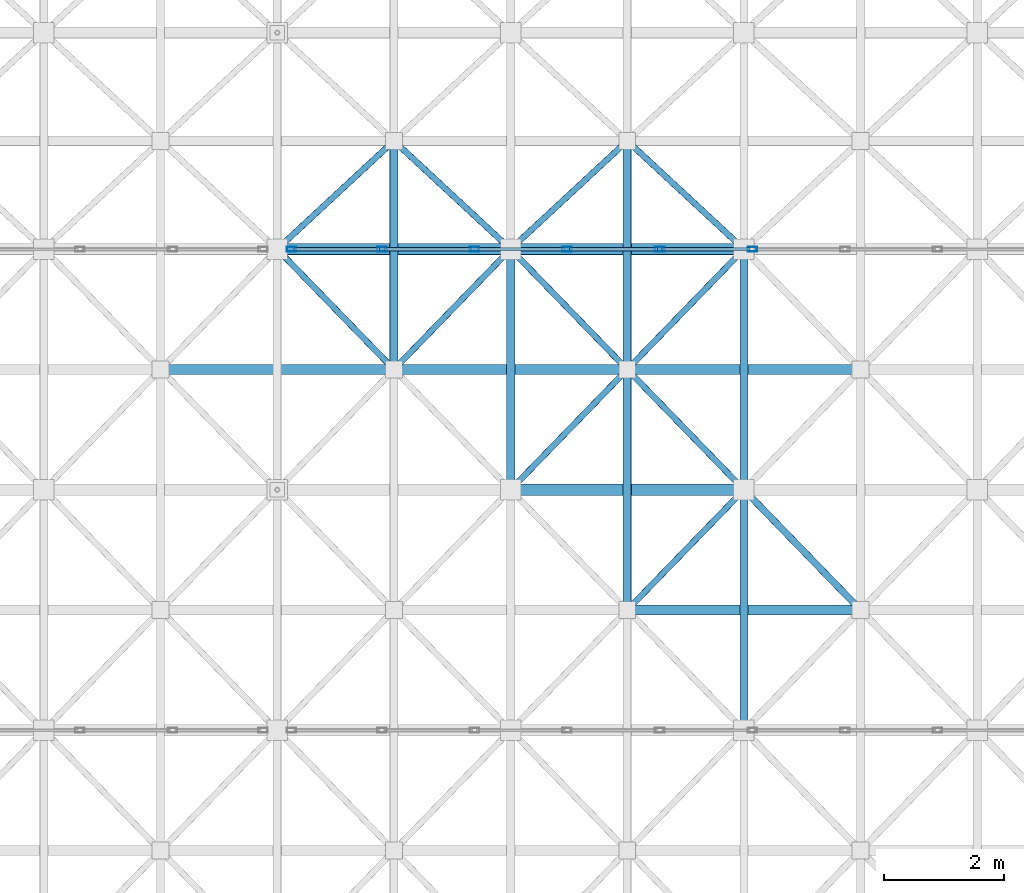
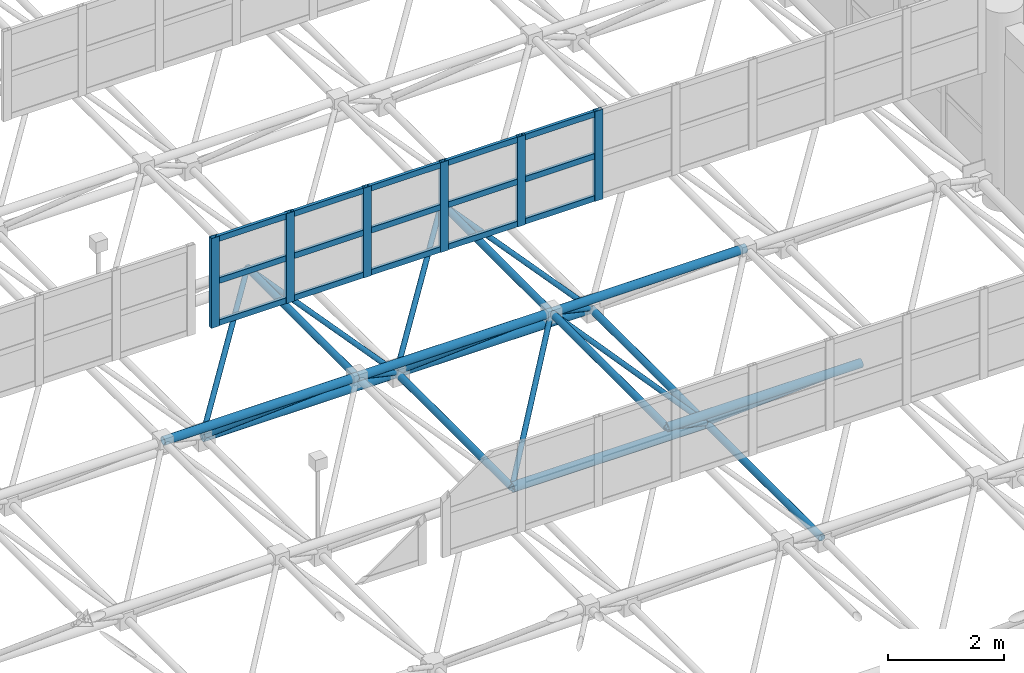
# One storey, part 90 of 195: 46 members, 1 element without a shape of its own.
"""IFC4 building model written with IfcOpenShell, lengths in metres."""

from ifc_helpers import new_model, si_unit, direction, frame, origin, origin_2d, place, context, subcontext, project, spatial, hollow_rectangle, hollow_circle, extrude, material, material_profile, profile_set, type_object, element, aggregate, save


model = new_model("IFC4")

# Units and contexts
model_context = context("Model", 3, precision=1e-05, world=origin(), true_north=direction((0.0, 1.0)))
body_context = subcontext(model_context, "Body", "Model", "MODEL_VIEW")
ifc_project = project(units=[si_unit("LENGTHUNIT", "METRE"), si_unit("AREAUNIT", "SQUARE_METRE"), si_unit("VOLUMEUNIT", "CUBIC_METRE"), si_unit("PLANEANGLEUNIT", "RADIAN"), si_unit("MASSUNIT", "GRAM", prefix="KILO")], contexts=[model_context])

# Site, building, storey
site_placement = place(None, origin())
site = spatial("IfcSite", under=ifc_project, at=site_placement, CompositionType="ELEMENT")
building_placement = place(site_placement, origin())
building = spatial("IfcBuilding", under=site, at=building_placement, Name="Kharva Crest Polytechnic", CompositionType="ELEMENT")
storey_placement = place(building_placement, frame((0.0, 0.0, 9.0)))
storey = spatial("IfcBuildingStorey", under=building, at=storey_placement, Name="L02", CompositionType="ELEMENT", Elevation=9.0)

# Curtain wall, members
ifc_material_1 = material(Name="Tempered insulated glass", Category="glass")
curtain_wall_type = type_object("IfcCurtainWallType", Name="CW-SYS-NORTHLIGHT", PredefinedType="USERDEFINED", material=ifc_material_1)
curtain_wall_placement = place(storey_placement, origin())
curtain_wall = element("IfcCurtainWall", 1, at=curtain_wall_placement, inside=storey, type_object=curtain_wall_type, Name="L02 Glazed Curtain Wall CW-198", ObjectType="CURTAIN WALL", PredefinedType="USERDEFINED")
ifc_material_2 = material(Name="Steel S355", Category="steel")
ifc_material_profile_1 = material_profile(ifc_material_2, hollow_rectangle(XDim=0.080078125, YDim=0.159912109375, WallThickness=0.0048828125, at=origin_2d()), Name="RHS 160X80X5.0")
ifc_profile_set_1 = profile_set([ifc_material_profile_1], Name="Steel S355")
member_type_1 = type_object("IfcMemberType", Name="CWM-RHS160X80", PredefinedType="MULLION", material=ifc_profile_set_1)
member_1_placement = place(storey_placement, frame((16.239990234375, 78.800048828125, 2.85009765625), z_axis=(0.0, 0.0, 1.0), x_axis=(0.0, 1.0, 0.0)))
member_1 = element("IfcMember", 2, at=member_1_placement, type_object=member_type_1, Name="CW-198 mullion 1", PredefinedType="MULLION", context=body_context, shape_type="SweptSolid", body=[
    extrude(hollow_rectangle(XDim=0.080078125, YDim=0.159912109375, WallThickness=0.0048828125, at=origin_2d()), origin(), (0.0, 0.0, 1.0), 1.89990234375),
])
member_2_placement = place(storey_placement, frame((17.739990234375, 78.800048828125, 2.85009765625), z_axis=(0.0, 0.0, 1.0), x_axis=(0.0, 1.0, 0.0)))
member_2 = element("IfcMember", 3, at=member_2_placement, type_object=member_type_1, Name="CW-198 mullion 2", PredefinedType="MULLION", context=body_context, shape_type="SweptSolid", body=[
    extrude(hollow_rectangle(XDim=0.080078125, YDim=0.159912109375, WallThickness=0.0048828125, at=origin_2d()), origin(), (0.0, 0.0, 1.0), 1.89990234375),
])
member_3_placement = place(storey_placement, frame((19.280029296875, 78.800048828125, 2.85009765625), z_axis=(0.0, 0.0, 1.0), x_axis=(0.0, 1.0, 0.0)))
member_3 = element("IfcMember", 4, at=member_3_placement, type_object=member_type_1, Name="CW-198 mullion 3", PredefinedType="MULLION", context=body_context, shape_type="SweptSolid", body=[
    extrude(hollow_rectangle(XDim=0.080078125, YDim=0.159912109375, WallThickness=0.0048828125, at=origin_2d()), origin(), (0.0, 0.0, 1.0), 1.89990234375),
])
member_4_placement = place(storey_placement, frame((20.820068359375, 78.800048828125, 2.85009765625), z_axis=(0.0, 0.0, 1.0), x_axis=(0.0, 1.0, 0.0)))
member_4 = element("IfcMember", 5, at=member_4_placement, type_object=member_type_1, Name="CW-198 mullion 4", PredefinedType="MULLION", context=body_context, shape_type="SweptSolid", body=[
    extrude(hollow_rectangle(XDim=0.080078125, YDim=0.159912109375, WallThickness=0.0048828125, at=origin_2d()), origin(), (0.0, 0.0, 1.0), 1.89990234375),
])
member_5_placement = place(storey_placement, frame((22.360107421875, 78.800048828125, 2.85009765625), z_axis=(0.0, 0.0, 1.0), x_axis=(0.0, 1.0, 0.0)))
member_5 = element("IfcMember", 6, at=member_5_placement, type_object=member_type_1, Name="CW-198 mullion 5", PredefinedType="MULLION", context=body_context, shape_type="SweptSolid", body=[
    extrude(hollow_rectangle(XDim=0.080078125, YDim=0.159912109375, WallThickness=0.0048828125, at=origin_2d()), origin(), (0.0, 0.0, 1.0), 1.89990234375),
])
member_6_placement = place(storey_placement, frame((23.89990234375, 78.800048828125, 2.85009765625), z_axis=(0.0, 0.0, 1.0), x_axis=(0.0, 1.0, 0.0)))
member_6 = element("IfcMember", 7, at=member_6_placement, type_object=member_type_1, Name="CW-198 mullion 6", PredefinedType="MULLION", context=body_context, shape_type="SweptSolid", body=[
    extrude(hollow_rectangle(XDim=0.080078125, YDim=0.159912109375, WallThickness=0.0048828125, at=origin_2d()), origin(), (0.0, 0.0, 1.0), 1.89990234375),
])
ifc_material_profile_2 = material_profile(ifc_material_2, hollow_rectangle(XDim=0.06005859375, YDim=0.1201171875, WallThickness=0.00390625, at=origin_2d()), Name="RHS 120X60X4.0")
ifc_profile_set_2 = profile_set([ifc_material_profile_2], Name="Steel S355")
member_type_2 = type_object("IfcMemberType", Name="CWT-RHS120X60", PredefinedType="USERDEFINED", material=ifc_profile_set_2)
member_7_placement = place(storey_placement, frame((16.280029296875, 78.800048828125, 2.909912109375), z_axis=(1.0, 0.0, 0.0), x_axis=(0.0, 1.0, 0.0)))
member_7 = element("IfcMember", 8, at=member_7_placement, type_object=member_type_2, Name="CW-198 transom 1.1", ObjectType="TRANSOM", PredefinedType="USERDEFINED", context=body_context, shape_type="SweptSolid", body=[
    extrude(hollow_rectangle(XDim=0.06005859375, YDim=0.1201171875, WallThickness=0.00390625, at=origin_2d()), origin(), (0.0, 0.0, 1.0), 1.419921875),
])
member_8_placement = place(storey_placement, frame((16.280029296875, 78.800048828125, 3.800048828125), z_axis=(1.0, 0.0, 0.0), x_axis=(0.0, 1.0, 0.0)))
member_8 = element("IfcMember", 9, at=member_8_placement, type_object=member_type_2, Name="CW-198 transom 1.2", ObjectType="TRANSOM", PredefinedType="USERDEFINED", context=body_context, shape_type="SweptSolid", body=[
    extrude(hollow_rectangle(XDim=0.06005859375, YDim=0.1201171875, WallThickness=0.00390625, at=origin_2d()), origin(), (0.0, 0.0, 1.0), 1.419921875),
])
member_9_placement = place(storey_placement, frame((16.280029296875, 78.800048828125, 4.68994140625), z_axis=(1.0, 0.0, 0.0), x_axis=(0.0, 1.0, 0.0)))
member_9 = element("IfcMember", 10, at=member_9_placement, type_object=member_type_2, Name="CW-198 transom 1.3", ObjectType="TRANSOM", PredefinedType="USERDEFINED", context=body_context, shape_type="SweptSolid", body=[
    extrude(hollow_rectangle(XDim=0.06005859375, YDim=0.1201171875, WallThickness=0.00390625, at=origin_2d()), origin(), (0.0, 0.0, 1.0), 1.419921875),
])
member_10_placement = place(storey_placement, frame((17.780029296875, 78.800048828125, 2.909912109375), z_axis=(1.0, 0.0, 0.0), x_axis=(0.0, 1.0, 0.0)))
member_10 = element("IfcMember", 11, at=member_10_placement, type_object=member_type_2, Name="CW-198 transom 2.1", ObjectType="TRANSOM", PredefinedType="USERDEFINED", context=body_context, shape_type="SweptSolid", body=[
    extrude(hollow_rectangle(XDim=0.06005859375, YDim=0.1201171875, WallThickness=0.00390625, at=origin_2d()), origin(), (0.0, 0.0, 1.0), 1.4599609375),
])
member_11_placement = place(storey_placement, frame((17.780029296875, 78.800048828125, 3.800048828125), z_axis=(1.0, 0.0, 0.0), x_axis=(0.0, 1.0, 0.0)))
member_11 = element("IfcMember", 12, at=member_11_placement, type_object=member_type_2, Name="CW-198 transom 2.2", ObjectType="TRANSOM", PredefinedType="USERDEFINED", context=body_context, shape_type="SweptSolid", body=[
    extrude(hollow_rectangle(XDim=0.06005859375, YDim=0.1201171875, WallThickness=0.00390625, at=origin_2d()), origin(), (0.0, 0.0, 1.0), 1.4599609375),
])
member_12_placement = place(storey_placement, frame((17.780029296875, 78.800048828125, 4.68994140625), z_axis=(1.0, 0.0, 0.0), x_axis=(0.0, 1.0, 0.0)))
member_12 = element("IfcMember", 13, at=member_12_placement, type_object=member_type_2, Name="CW-198 transom 2.3", ObjectType="TRANSOM", PredefinedType="USERDEFINED", context=body_context, shape_type="SweptSolid", body=[
    extrude(hollow_rectangle(XDim=0.06005859375, YDim=0.1201171875, WallThickness=0.00390625, at=origin_2d()), origin(), (0.0, 0.0, 1.0), 1.4599609375),
])
member_13_placement = place(storey_placement, frame((19.320068359375, 78.800048828125, 2.909912109375), z_axis=(1.0, 0.0, 0.0), x_axis=(0.0, 1.0, 0.0)))
member_13 = element("IfcMember", 14, at=member_13_placement, type_object=member_type_2, Name="CW-198 transom 3.1", ObjectType="TRANSOM", PredefinedType="USERDEFINED", context=body_context, shape_type="SweptSolid", body=[
    extrude(hollow_rectangle(XDim=0.06005859375, YDim=0.1201171875, WallThickness=0.00390625, at=origin_2d()), origin(), (0.0, 0.0, 1.0), 1.4599609375),
])
member_14_placement = place(storey_placement, frame((19.320068359375, 78.800048828125, 3.800048828125), z_axis=(1.0, 0.0, 0.0), x_axis=(0.0, 1.0, 0.0)))
member_14 = element("IfcMember", 15, at=member_14_placement, type_object=member_type_2, Name="CW-198 transom 3.2", ObjectType="TRANSOM", PredefinedType="USERDEFINED", context=body_context, shape_type="SweptSolid", body=[
    extrude(hollow_rectangle(XDim=0.06005859375, YDim=0.1201171875, WallThickness=0.00390625, at=origin_2d()), origin(), (0.0, 0.0, 1.0), 1.4599609375),
])
member_15_placement = place(storey_placement, frame((19.320068359375, 78.800048828125, 4.68994140625), z_axis=(1.0, 0.0, 0.0), x_axis=(0.0, 1.0, 0.0)))
member_15 = element("IfcMember", 16, at=member_15_placement, type_object=member_type_2, Name="CW-198 transom 3.3", ObjectType="TRANSOM", PredefinedType="USERDEFINED", context=body_context, shape_type="SweptSolid", body=[
    extrude(hollow_rectangle(XDim=0.06005859375, YDim=0.1201171875, WallThickness=0.00390625, at=origin_2d()), origin(), (0.0, 0.0, 1.0), 1.4599609375),
])
member_16_placement = place(storey_placement, frame((20.860107421875, 78.800048828125, 2.909912109375), z_axis=(1.0, 0.0, 0.0), x_axis=(0.0, 1.0, 0.0)))
member_16 = element("IfcMember", 17, at=member_16_placement, type_object=member_type_2, Name="CW-198 transom 4.1", ObjectType="TRANSOM", PredefinedType="USERDEFINED", context=body_context, shape_type="SweptSolid", body=[
    extrude(hollow_rectangle(XDim=0.06005859375, YDim=0.1201171875, WallThickness=0.00390625, at=origin_2d()), origin(), (0.0, 0.0, 1.0), 1.4599609375),
])
member_17_placement = place(storey_placement, frame((20.860107421875, 78.800048828125, 3.800048828125), z_axis=(1.0, 0.0, 0.0), x_axis=(0.0, 1.0, 0.0)))
member_17 = element("IfcMember", 18, at=member_17_placement, type_object=member_type_2, Name="CW-198 transom 4.2", ObjectType="TRANSOM", PredefinedType="USERDEFINED", context=body_context, shape_type="SweptSolid", body=[
    extrude(hollow_rectangle(XDim=0.06005859375, YDim=0.1201171875, WallThickness=0.00390625, at=origin_2d()), origin(), (0.0, 0.0, 1.0), 1.4599609375),
])
member_18_placement = place(storey_placement, frame((20.860107421875, 78.800048828125, 4.68994140625), z_axis=(1.0, 0.0, 0.0), x_axis=(0.0, 1.0, 0.0)))
member_18 = element("IfcMember", 19, at=member_18_placement, type_object=member_type_2, Name="CW-198 transom 4.3", ObjectType="TRANSOM", PredefinedType="USERDEFINED", context=body_context, shape_type="SweptSolid", body=[
    extrude(hollow_rectangle(XDim=0.06005859375, YDim=0.1201171875, WallThickness=0.00390625, at=origin_2d()), origin(), (0.0, 0.0, 1.0), 1.4599609375),
])
member_19_placement = place(storey_placement, frame((22.39990234375, 78.800048828125, 2.909912109375), z_axis=(1.0, 0.0, 0.0), x_axis=(0.0, 1.0, 0.0)))
member_19 = element("IfcMember", 20, at=member_19_placement, type_object=member_type_2, Name="CW-198 transom 5.1", ObjectType="TRANSOM", PredefinedType="USERDEFINED", context=body_context, shape_type="SweptSolid", body=[
    extrude(hollow_rectangle(XDim=0.06005859375, YDim=0.1201171875, WallThickness=0.00390625, at=origin_2d()), origin(), (0.0, 0.0, 1.0), 1.460205078125),
])
member_20_placement = place(storey_placement, frame((22.39990234375, 78.800048828125, 3.800048828125), z_axis=(1.0, 0.0, 0.0), x_axis=(0.0, 1.0, 0.0)))
member_20 = element("IfcMember", 21, at=member_20_placement, type_object=member_type_2, Name="CW-198 transom 5.2", ObjectType="TRANSOM", PredefinedType="USERDEFINED", context=body_context, shape_type="SweptSolid", body=[
    extrude(hollow_rectangle(XDim=0.06005859375, YDim=0.1201171875, WallThickness=0.00390625, at=origin_2d()), origin(), (0.0, 0.0, 1.0), 1.460205078125),
])
member_21_placement = place(storey_placement, frame((22.39990234375, 78.800048828125, 4.68994140625), z_axis=(1.0, 0.0, 0.0), x_axis=(0.0, 1.0, 0.0)))
member_21 = element("IfcMember", 22, at=member_21_placement, type_object=member_type_2, Name="CW-198 transom 5.3", ObjectType="TRANSOM", PredefinedType="USERDEFINED", context=body_context, shape_type="SweptSolid", body=[
    extrude(hollow_rectangle(XDim=0.06005859375, YDim=0.1201171875, WallThickness=0.00390625, at=origin_2d()), origin(), (0.0, 0.0, 1.0), 1.460205078125),
])
aggregate(curtain_wall, [member_1, member_2, member_3, member_4, member_5, member_6, member_7, member_8, member_9, member_10, member_11, member_12, member_13, member_14, member_15, member_16, member_17, member_18, member_19, member_20, member_21])

# Members
ifc_material_profile_3 = material_profile(ifc_material_2, hollow_circle(Radius=0.05078125, WallThickness=0.0048828125, at=origin_2d()), Name="CHS 101.6X5.0")
ifc_profile_set_3 = profile_set([ifc_material_profile_3], Name="Steel S355")
member_type_3 = type_object("IfcMemberType", Name="MEM-CHS101", PredefinedType="BRACE", material=ifc_profile_set_3)
for number, where, z_axis, x_axis, name in (
    (23, (16.0, 78.800048828125, 0.60009765625), (0.584843378742, -0.602949529154, 0.542595694449), (0.717802189577, 0.696247094528, 0.0), "Space Frame Web Diagonal 711"),
    (24, (19.8798828125, 78.800048828125, 0.60009765625), (-0.584843378742, -0.602949529154, 0.542595694449), (0.717802189577, -0.696247094528, 0.0), "Space Frame Web Diagonal 712"),
):
    element("IfcMember", number, at=place(storey_placement, frame(where, z_axis=z_axis, x_axis=x_axis)), inside=storey, type_object=member_type_3, Name=name, PredefinedType="BRACE", context=body_context, shape_type="SweptSolid", body=[
        extrude(hollow_circle(Radius=0.05078125, WallThickness=0.0048828125, at=origin_2d()), origin(), (0.0, 0.0, 1.0), 3.317138671875),
    ])
for number, where, z_axis, x_axis, name in (
    (25, (16.0, 78.800048828125, 0.60009765625), (0.606147481159, 0.562437122903, 0.562360839555), (-0.680182129432, 0.73304315753, 0.0), "Space Frame Web Diagonal 713"),
    (26, (19.8798828125, 78.800048828125, 0.60009765625), (-0.606147481159, 0.562437122903, 0.562360839555), (-0.680182129432, -0.73304315753, 0.0), "Space Frame Web Diagonal 714"),
):
    element("IfcMember", number, at=place(storey_placement, frame(where, z_axis=z_axis, x_axis=x_axis)), inside=storey, type_object=member_type_3, Name=name, PredefinedType="BRACE", context=body_context, shape_type="SweptSolid", body=[
        extrude(hollow_circle(Radius=0.05078125, WallThickness=0.0048828125, at=origin_2d()), origin(), (0.0, 0.0, 1.0), 3.200439453125),
    ])
for number, where, z_axis, x_axis, name in (
    (27, (23.760009765625, 74.800048828125, 0.60009765625), (-0.584843378742, -0.602949529154, 0.542595694449), (0.717802189577, -0.696247094528, 0.0), "Space Frame Web Diagonal 764"),
    (28, (19.8798828125, 74.800048828125, 0.60009765625), (0.584891802813, 0.602923574763, 0.542572338032), (-0.717758400015, 0.696292236929, 0.0), "Space Frame Web Diagonal 765"),
    (29, (23.760009765625, 74.800048828125, 0.60009765625), (-0.584843378742, 0.602949529154, 0.542595694449), (-0.717802189577, -0.696247094528, 0.0), "Space Frame Web Diagonal 766"),
    (30, (19.8798828125, 78.800048828125, 0.60009765625), (0.584891802813, -0.602923574763, 0.542572338032), (0.717758400015, 0.696292236929, 0.0), "Space Frame Web Diagonal 767"),
    (31, (23.760009765625, 78.800048828125, 0.60009765625), (-0.584843378742, -0.602949529154, 0.542595694449), (0.717802189577, -0.696247094528, 0.0), "Space Frame Web Diagonal 768"),
):
    element("IfcMember", number, at=place(storey_placement, frame(where, z_axis=z_axis, x_axis=x_axis)), inside=storey, type_object=member_type_3, Name=name, PredefinedType="BRACE", context=body_context, shape_type="SweptSolid", body=[
        extrude(hollow_circle(Radius=0.05078125, WallThickness=0.0048828125, at=origin_2d()), origin(), (0.0, 0.0, 1.0), 3.317138671875),
    ])
member_22_placement = place(storey_placement, frame((19.8798828125, 78.800048828125, 0.60009765625), z_axis=(0.606195733531, 0.562411116563, 0.562334836743), x_axis=(-0.680136133543, 0.733085833889, 0.0)))
element("IfcMember", 32, at=member_22_placement, inside=storey, type_object=member_type_3, Name="Space Frame Web Diagonal 769", PredefinedType="BRACE", context=body_context, shape_type="SweptSolid", body=[
    extrude(hollow_circle(Radius=0.05078125, WallThickness=0.0048828125, at=origin_2d()), origin(), (0.0, 0.0, 1.0), 3.20068359375),
])
member_23_placement = place(storey_placement, frame((23.760009765625, 78.800048828125, 0.60009765625), z_axis=(-0.606147481159, 0.562437122903, 0.562360839555), x_axis=(-0.680182129432, -0.73304315753, 0.0)))
element("IfcMember", 33, at=member_23_placement, inside=storey, type_object=member_type_3, Name="Space Frame Web Diagonal 770", PredefinedType="BRACE", context=body_context, shape_type="SweptSolid", body=[
    extrude(hollow_circle(Radius=0.05078125, WallThickness=0.0048828125, at=origin_2d()), origin(), (0.0, 0.0, 1.0), 3.200439453125),
])
ifc_material_profile_4 = material_profile(ifc_material_2, hollow_circle(Radius=0.05712890625, WallThickness=0.00634765625, at=origin_2d()), Name="CHS 114.3X6.3")
ifc_profile_set_4 = profile_set([ifc_material_profile_4], Name="Steel S355")
member_type_4 = type_object("IfcMemberType", Name="MEM-CHS114", PredefinedType="BRACE", material=ifc_profile_set_4)
member_24_placement = place(storey_placement, frame((23.760009765625, 74.800048828125, 0.60009765625), z_axis=(0.584843378742, -0.602949529154, 0.542595694449), x_axis=(0.717802189577, 0.696247094528, 0.0)))
element("IfcMember", 34, at=member_24_placement, inside=storey, type_object=member_type_4, Name="Space Frame Web Diagonal 819", PredefinedType="BRACE", context=body_context, shape_type="SweptSolid", body=[
    extrude(hollow_circle(Radius=0.05712890625, WallThickness=0.00634765625, at=origin_2d()), origin(), (0.0, 0.0, 1.0), 3.317138671875),
])
ifc_material_profile_5 = material_profile(ifc_material_2, hollow_circle(Radius=0.06982421875, WallThickness=0.00634765625, at=origin_2d()), Name="CHS 139.7X6.3")
ifc_profile_set_5 = profile_set([ifc_material_profile_5], Name="Steel S355")
member_type_5 = type_object("IfcMemberType", Name="MEM-CHS139", PredefinedType="CHORD", material=ifc_profile_set_5)
for number, where, z_axis, x_axis, name in (
    (35, (19.8798828125, 74.800048828125, 0.60009765625), (0.0, 1.0, 0.0), (-1.0, 0.0, 0.0), "Space Frame Bottom Chord Y 200"),
    (36, (23.760009765625, 70.800048828125, 0.60009765625), (0.0, 1.0, 0.0), (-1.0, 0.0, 0.0), "Space Frame Bottom Chord Y 213"),
    (37, (23.760009765625, 74.800048828125, 0.60009765625), (0.0, 1.0, 0.0), (-1.0, 0.0, 0.0), "Space Frame Bottom Chord Y 214"),
):
    element("IfcMember", number, at=place(storey_placement, frame(where, z_axis=z_axis, x_axis=x_axis)), inside=storey, type_object=member_type_5, Name=name, PredefinedType="CHORD", context=body_context, shape_type="SweptSolid", body=[
        extrude(hollow_circle(Radius=0.06982421875, WallThickness=0.00634765625, at=origin_2d()), origin(), (0.0, 0.0, 1.0), 4.0),
    ])
member_25_placement = place(storey_placement, frame((17.93994140625, 76.800048828125, 2.39990234375), z_axis=(0.0, 1.0, 0.0), x_axis=(-1.0, 0.0, 0.0)))
element("IfcMember", 38, at=member_25_placement, inside=storey, type_object=member_type_5, Name="Space Frame Top Chord Y 406", PredefinedType="CHORD", context=body_context, shape_type="SweptSolid", body=[
    extrude(hollow_circle(Radius=0.06982421875, WallThickness=0.00634765625, at=origin_2d()), origin(), (0.0, 0.0, 1.0), 3.800048828125),
])
member_26_placement = place(storey_placement, frame((21.820068359375, 72.800048828125, 2.39990234375), z_axis=(0.0, 1.0, 0.0), x_axis=(-1.0, 0.0, 0.0)))
element("IfcMember", 39, at=member_26_placement, inside=storey, type_object=member_type_5, Name="Space Frame Top Chord Y 418", PredefinedType="CHORD", context=body_context, shape_type="SweptSolid", body=[
    extrude(hollow_circle(Radius=0.06982421875, WallThickness=0.00634765625, at=origin_2d()), origin(), (0.0, 0.0, 1.0), 4.0),
])
member_27_placement = place(storey_placement, frame((21.820068359375, 76.800048828125, 2.39990234375), z_axis=(0.0, 1.0, 0.0), x_axis=(-1.0, 0.0, 0.0)))
element("IfcMember", 40, at=member_27_placement, inside=storey, type_object=member_type_5, Name="Space Frame Top Chord Y 419", PredefinedType="CHORD", context=body_context, shape_type="SweptSolid", body=[
    extrude(hollow_circle(Radius=0.06982421875, WallThickness=0.00634765625, at=origin_2d()), origin(), (0.0, 0.0, 1.0), 3.800048828125),
])
ifc_material_profile_6 = material_profile(ifc_material_2, hollow_circle(Radius=0.084228515625, WallThickness=0.008056640625, at=origin_2d()), Name="CHS 168.3X8.0")
ifc_profile_set_6 = profile_set([ifc_material_profile_6], Name="Steel S355")
member_type_6 = type_object("IfcMemberType", Name="MEM-CHS168", PredefinedType="CHORD", material=ifc_profile_set_6)
for number, where, z_axis, x_axis, name in (
    (41, (21.820068359375, 72.800048828125, 2.39990234375), (1.0, 0.0, 0.0), (0.0, 1.0, 0.0), "Space Frame Top Chord X 308"),
    (42, (14.06005859375, 76.800048828125, 2.39990234375), (1.0, 0.0, 0.0), (0.0, 1.0, 0.0), "Space Frame Top Chord X 313"),
):
    element("IfcMember", number, at=place(storey_placement, frame(where, z_axis=z_axis, x_axis=x_axis)), inside=storey, type_object=member_type_6, Name=name, PredefinedType="CHORD", context=body_context, shape_type="SweptSolid", body=[
        extrude(hollow_circle(Radius=0.084228515625, WallThickness=0.008056640625, at=origin_2d()), origin(), (0.0, 0.0, 1.0), 3.8798828125),
    ])
member_28_placement = place(storey_placement, frame((17.93994140625, 76.800048828125, 2.39990234375), z_axis=(1.0, 0.0, 0.0), x_axis=(0.0, 1.0, 0.0)))
element("IfcMember", 43, at=member_28_placement, inside=storey, type_object=member_type_6, Name="Space Frame Top Chord X 314", PredefinedType="CHORD", context=body_context, shape_type="SweptSolid", body=[
    extrude(hollow_circle(Radius=0.084228515625, WallThickness=0.008056640625, at=origin_2d()), origin(), (0.0, 0.0, 1.0), 3.880126953125),
])
member_29_placement = place(storey_placement, frame((21.820068359375, 76.800048828125, 2.39990234375), z_axis=(1.0, 0.0, 0.0), x_axis=(0.0, 1.0, 0.0)))
element("IfcMember", 44, at=member_29_placement, inside=storey, type_object=member_type_6, Name="Space Frame Top Chord X 315", PredefinedType="CHORD", context=body_context, shape_type="SweptSolid", body=[
    extrude(hollow_circle(Radius=0.084228515625, WallThickness=0.008056640625, at=origin_2d()), origin(), (0.0, 0.0, 1.0), 3.8798828125),
])
ifc_material_profile_7 = material_profile(ifc_material_2, hollow_circle(Radius=0.096923828125, WallThickness=0.008056640625, at=origin_2d()), Name="CHS 193.7X8.0")
ifc_profile_set_7 = profile_set([ifc_material_profile_7], Name="Steel S355")
member_type_7 = type_object("IfcMemberType", Name="MEM-CHS193", PredefinedType="CHORD", material=ifc_profile_set_7)
member_30_placement = place(storey_placement, frame((19.8798828125, 74.800048828125, 0.60009765625), z_axis=(1.0, 0.0, 0.0), x_axis=(0.0, 1.0, 0.0)))
element("IfcMember", 45, at=member_30_placement, inside=storey, type_object=member_type_7, Name="Space Frame Bottom Chord X 78", PredefinedType="CHORD", context=body_context, shape_type="SweptSolid", body=[
    extrude(hollow_circle(Radius=0.096923828125, WallThickness=0.008056640625, at=origin_2d()), origin(), (0.0, 0.0, 1.0), 3.880126953125),
])
member_31_placement = place(storey_placement, frame((16.0, 78.800048828125, 0.60009765625), z_axis=(1.0, 0.0, 0.0), x_axis=(0.0, 1.0, 0.0)))
element("IfcMember", 46, at=member_31_placement, inside=storey, type_object=member_type_7, Name="Space Frame Bottom Chord X 85", PredefinedType="CHORD", context=body_context, shape_type="SweptSolid", body=[
    extrude(hollow_circle(Radius=0.096923828125, WallThickness=0.008056640625, at=origin_2d()), origin(), (0.0, 0.0, 1.0), 3.8798828125),
])
member_32_placement = place(storey_placement, frame((19.8798828125, 78.800048828125, 0.60009765625), z_axis=(1.0, 0.0, 0.0), x_axis=(0.0, 1.0, 0.0)))
element("IfcMember", 47, at=member_32_placement, inside=storey, type_object=member_type_7, Name="Space Frame Bottom Chord X 86", PredefinedType="CHORD", context=body_context, shape_type="SweptSolid", body=[
    extrude(hollow_circle(Radius=0.096923828125, WallThickness=0.008056640625, at=origin_2d()), origin(), (0.0, 0.0, 1.0), 3.880126953125),
])

save(model, "model.ifc")
